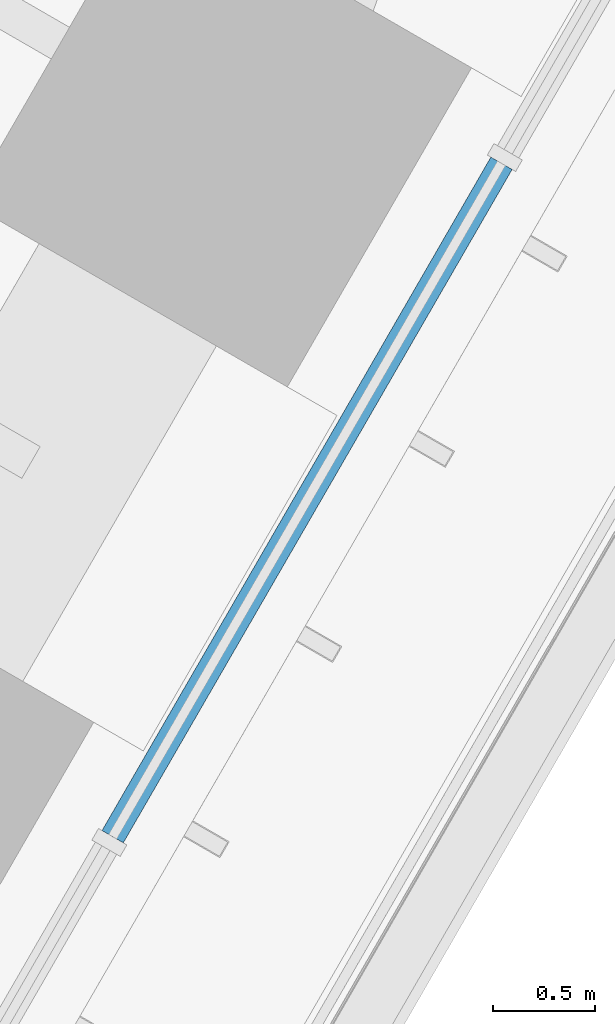
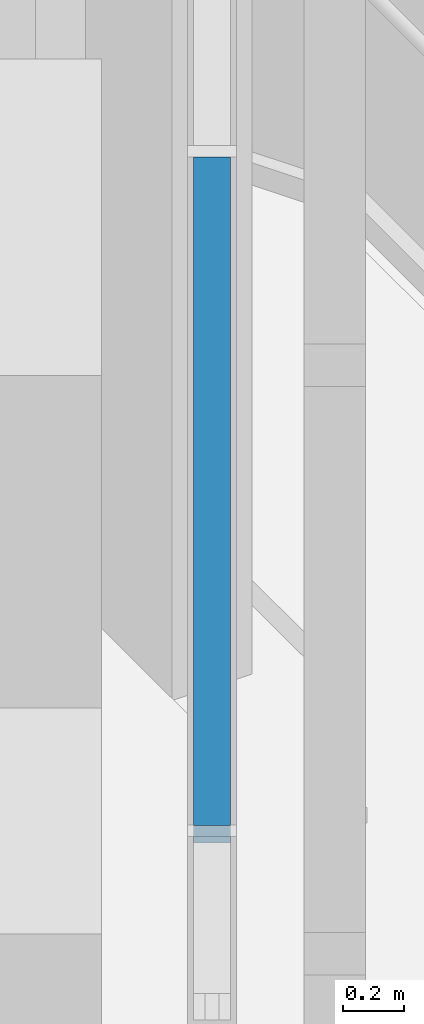
# One storey, part 118 of 228: 1 member, 1 element without a shape of its own.
"""IFC4 building model written with IfcOpenShell, lengths in metres."""

from ifc_helpers import new_model, si_unit, direction, frame, origin, origin_2d, place, context, subcontext, project, spatial, rectangle, extrude, material, material_profile, profile_set, type_object, element, aggregate, save


model = new_model("IFC4")

# Units and contexts
model_context = context("Model", 3, precision=1e-05, world=origin(), true_north=direction((0.0, 1.0)))
body_context = subcontext(model_context, "Body", "Model", "MODEL_VIEW")
ifc_project = project(units=[si_unit("LENGTHUNIT", "METRE"), si_unit("AREAUNIT", "SQUARE_METRE"), si_unit("VOLUMEUNIT", "CUBIC_METRE"), si_unit("PLANEANGLEUNIT", "RADIAN"), si_unit("MASSUNIT", "GRAM", prefix="KILO")], contexts=[model_context])

# Site, building, storey
site_placement = place(None, origin())
site = spatial("IfcSite", under=ifc_project, at=site_placement, CompositionType="ELEMENT")
building_placement = place(site_placement, origin())
building = spatial("IfcBuilding", under=site, at=building_placement, Name="Sandreach Pilgrim Tower", CompositionType="ELEMENT")
storey_placement = place(building_placement, frame((0.0, 0.0, 178.199951171875)))
storey = spatial("IfcBuildingStorey", under=building, at=storey_placement, Name="L44", CompositionType="ELEMENT", Elevation=178.199951171875)

# Curtain wall, member
ifc_material_1 = material(Name="Aluminium framed curtain wall", Category="aluminium")
curtain_wall_type = type_object("IfcCurtainWallType", Name="Upper hotel tower curtain wall", PredefinedType="NOTDEFINED", material=ifc_material_1)
curtain_wall_placement = place(storey_placement, origin())
curtain_wall = element("IfcCurtainWall", 1, at=curtain_wall_placement, inside=storey, type_object=curtain_wall_type, Name="CW-3 L44 SE", PredefinedType="NOTDEFINED")
ifc_material_2 = material(Name="Aluminium extrusion", Category="aluminium")
ifc_material_profile = material_profile(ifc_material_2, rectangle(XDim=0.1201171875, YDim=0.070068359375, at=origin_2d()), Name="CW-3T 120X70")
ifc_profile_set = profile_set([ifc_material_profile], Name="Aluminium extrusion")
member_type = type_object("IfcMemberType", Name="CW-3 transom", PredefinedType="USERDEFINED", material=ifc_profile_set)
member_placement = place(storey_placement, frame((25.07177734375, 1.105224609375, 4.804931640625), z_axis=(-0.500022797313, -0.86601224135, 0.0), x_axis=(0.86601224135, -0.500022797313, 0.0)))
member = element("IfcMember", 2, at=member_placement, type_object=member_type, Name="CW-3 head transom 2", ObjectType="TRANSOM", PredefinedType="USERDEFINED", context=body_context, shape_type="SweptSolid", body=[
    extrude(rectangle(XDim=0.1201171875, YDim=0.070068359375, at=origin_2d()), origin(), (0.0, 0.0, 1.0), 3.799560546875),
])
aggregate(curtain_wall, [member])

save(model, "model.ifc")
